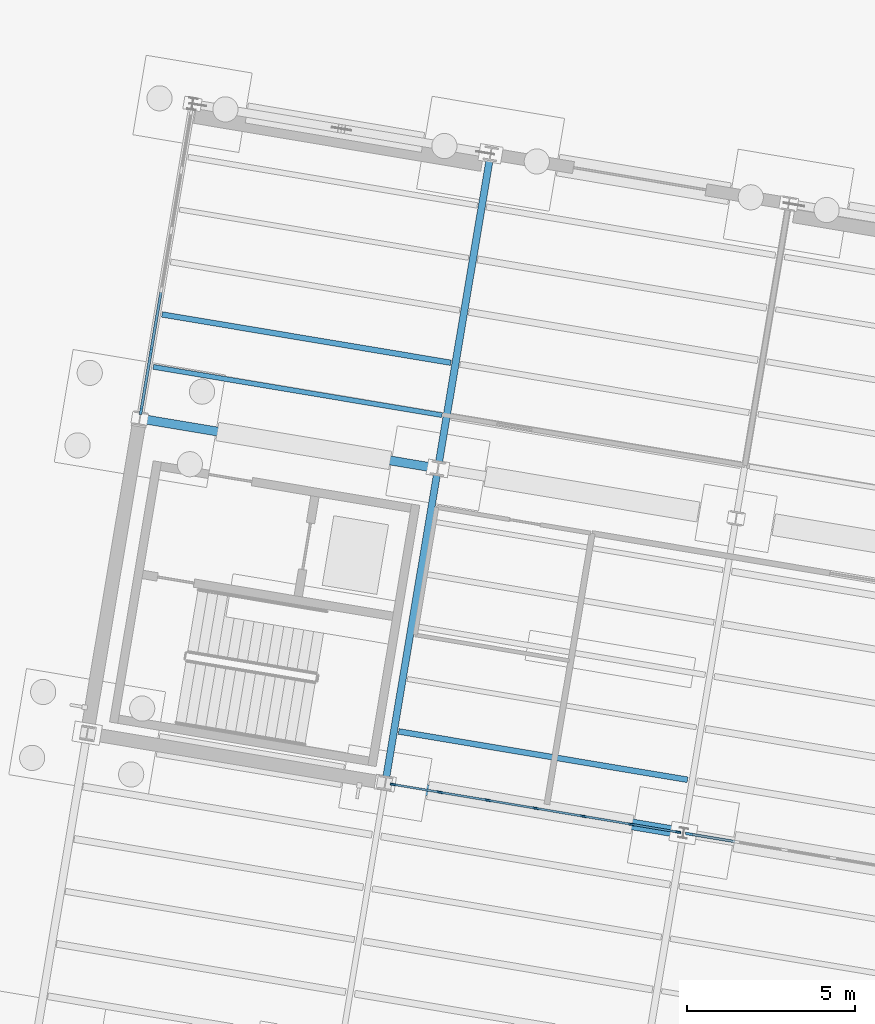
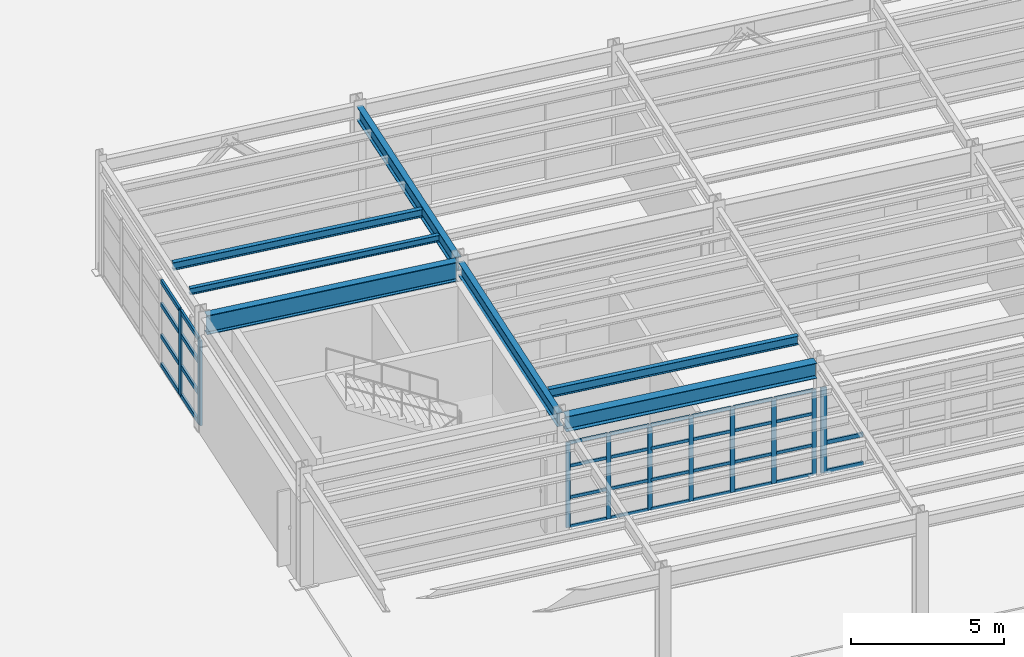
# One storey, part 43 of 108: 44 members, 7 beams, 3 elements without a shape of their own.
"""IFC4 building model written with IfcOpenShell, lengths in metres."""

from ifc_helpers import new_model, si_unit, direction, frame, origin, origin_2d, place, context, subcontext, project, spatial, rectangle, i_section, extrude, material, layer, layer_set, material_profile, profile_set, type_object, element, aggregate, save


model = new_model("IFC4")

# Units and contexts
model_context = context("Model", 3, precision=1e-05, world=origin(), true_north=direction((0.0, 1.0)))
body_context = subcontext(model_context, "Body", "Model", "MODEL_VIEW")
ifc_project = project(units=[si_unit("LENGTHUNIT", "METRE"), si_unit("AREAUNIT", "SQUARE_METRE"), si_unit("VOLUMEUNIT", "CUBIC_METRE"), si_unit("PLANEANGLEUNIT", "RADIAN"), si_unit("MASSUNIT", "GRAM", prefix="KILO")], contexts=[model_context])

# Site, building, storey
site_placement = place(None, origin())
site = spatial("IfcSite", under=ifc_project, at=site_placement, CompositionType="ELEMENT")
building_placement = place(site_placement, origin())
building = spatial("IfcBuilding", under=site, at=building_placement, Name="Vireo Bluff Cable Station", CompositionType="ELEMENT")
storey_placement = place(building_placement, origin())
storey = spatial("IfcBuildingStorey", under=building, at=storey_placement, Name="L00", CompositionType="ELEMENT", Elevation=0.0)

# Beams
ifc_material_1 = material(Name="Steel ASTM A992 Gr. 50", Category="steel")
ifc_material_profile_1 = material_profile(ifc_material_1, i_section(OverallWidth=0.2099609375, OverallDepth=0.535888671875, WebThickness=0.010986328125, FlangeThickness=0.017333984375, FilletRadius=0.012939453125, at=origin_2d()), Name="W21X68")
ifc_profile_set_1 = profile_set([ifc_material_profile_1], Name="Steel ASTM A992 Gr. 50")
beam_type_1 = type_object("IfcBeamType", Name="BM-W21X68", PredefinedType="BEAM", material=ifc_profile_set_1)
beam_1_placement = place(storey_placement, frame((15.96435546875, 79.502685546875, 4.27197265625), z_axis=(0.165044536891, 0.986286115102, 0.0), x_axis=(-0.986286115102, 0.165044536891, 0.0)))
element("IfcBeam", 1, at=beam_1_placement, inside=storey, type_object=beam_type_1, Name="V4 L00 beam 790", PredefinedType="BEAM", context=body_context, shape_type="SweptSolid", body=[
    extrude(i_section(OverallWidth=0.2099609375, OverallDepth=0.535888671875, WebThickness=0.010986328125, FlangeThickness=0.017333984375, FilletRadius=0.012939453125, at=origin_2d()), origin(), (0.0, 0.0, 1.0), 9.260009765625),
])
ifc_material_profile_2 = material_profile(ifc_material_1, i_section(OverallWidth=0.214111328125, OverallDepth=0.549072265625, WebThickness=0.0146484375, FlangeThickness=0.023681640625, FilletRadius=0.012939453125, at=origin_2d()), Name="W21X93")
ifc_profile_set_2 = profile_set([ifc_material_profile_2], Name="Steel ASTM A992 Gr. 50")
beam_type_2 = type_object("IfcBeamType", Name="BM-W21X93", PredefinedType="BEAM", material=ifc_profile_set_2)
beam_2_placement = place(storey_placement, frame((17.5322265625, 88.872314453125, 4.265380859375), z_axis=(0.165044536891, 0.986286115102, 0.0), x_axis=(-0.986286115102, 0.165044536891, 0.0)))
element("IfcBeam", 2, at=beam_2_placement, inside=storey, type_object=beam_type_2, Name="V4 L00 beam 791", PredefinedType="BEAM", context=body_context, shape_type="SweptSolid", body=[
    extrude(i_section(OverallWidth=0.214111328125, OverallDepth=0.549072265625, WebThickness=0.0146484375, FlangeThickness=0.023681640625, FilletRadius=0.012939453125, at=origin_2d()), origin(), (0.0, 0.0, 1.0), 9.260009765625),
])

# Curtain wall, member
ifc_material_2 = material(Name="Anodized Aluminium 6063-T6", Category="aluminium")
ifc_layer_1 = layer(ifc_material_2, 0.179931640625, Name="Anodized Aluminium 6063-T6")
ifc_layer_set_1 = layer_set([ifc_layer_1], Name="Anodized Aluminium 6063-T6")
curtain_wall_type_1 = type_object("IfcCurtainWallType", Name="CW-UNIT-1400", PredefinedType="USERDEFINED", material=ifc_layer_set_1)
curtain_wall_1_placement = place(storey_placement, origin())
curtain_wall_1 = element("IfcCurtainWall", 3, at=curtain_wall_1_placement, inside=storey, type_object=curtain_wall_type_1, Name="V4 L00 south curtain wall CW-081", ObjectType="UNITISED CURTAIN WALL", PredefinedType="USERDEFINED")
ifc_material_profile_3 = material_profile(ifc_material_2, rectangle(XDim=0.074951171875, YDim=0.2099609375, at=origin_2d()), Name="ALU-M-75X210")
ifc_profile_set_3 = profile_set([ifc_material_profile_3], Name="Anodized Aluminium 6063-T6")
member_type_1 = type_object("IfcMemberType", Name="CWM-02", PredefinedType="MULLION", material=ifc_profile_set_3)
member_1_placement = place(storey_placement, frame((24.9853515625, 77.871337890625, 0.0), z_axis=(0.0, 0.0, 1.0), x_axis=(-0.165047563411, -0.986285608641, 0.0)))
member_1 = element("IfcMember", 4, at=member_1_placement, type_object=member_type_1, Name="CW-081 mullion 7", PredefinedType="MULLION", context=body_context, shape_type="SweptSolid", body=[
    extrude(rectangle(XDim=0.074951171875, YDim=0.2099609375, at=origin_2d()), origin(), (0.0, 0.0, 1.0), 3.39990234375),
])

# Curtain wall, members
ifc_layer_2 = layer(ifc_material_2, 0.179931640625, Name="Anodized Aluminium 6063-T6")
ifc_layer_set_2 = layer_set([ifc_layer_2], Name="Anodized Aluminium 6063-T6")
curtain_wall_type_2 = type_object("IfcCurtainWallType", Name="CW-UNIT-1500", PredefinedType="USERDEFINED", material=ifc_layer_set_2)
curtain_wall_2_placement = place(storey_placement, origin())
curtain_wall_2 = element("IfcCurtainWall", 5, at=curtain_wall_2_placement, inside=storey, type_object=curtain_wall_type_2, Name="V4 L00 south curtain wall CW-082", ObjectType="UNITISED CURTAIN WALL", PredefinedType="USERDEFINED")
ifc_material_profile_4 = material_profile(ifc_material_2, rectangle(XDim=0.06005859375, YDim=0.159912109375, at=origin_2d()), Name="ALU-M-60X160")
ifc_profile_set_4 = profile_set([ifc_material_profile_4], Name="Anodized Aluminium 6063-T6")
member_type_2 = type_object("IfcMemberType", Name="CWM-03", PredefinedType="MULLION", material=ifc_profile_set_4)
member_2_placement = place(storey_placement, frame((24.664306640625, 77.925048828125, 0.0), z_axis=(0.0, 0.0, 1.0), x_axis=(-0.165047656538, -0.986285593057, 0.0)))
member_2 = element("IfcMember", 6, at=member_2_placement, type_object=member_type_2, Name="CW-082 mullion 1", PredefinedType="MULLION", context=body_context, shape_type="SweptSolid", body=[
    extrude(rectangle(XDim=0.06005859375, YDim=0.159912109375, at=origin_2d()), origin(), (0.0, 0.0, 1.0), 3.39990234375),
])
member_3_placement = place(storey_placement, frame((23.269287109375, 78.158447265625, 0.0), z_axis=(0.0, 0.0, 1.0), x_axis=(-0.165047656538, -0.986285593057, 0.0)))
member_3 = element("IfcMember", 7, at=member_3_placement, type_object=member_type_2, Name="CW-082 mullion 2", PredefinedType="MULLION", context=body_context, shape_type="SweptSolid", body=[
    extrude(rectangle(XDim=0.06005859375, YDim=0.159912109375, at=origin_2d()), origin(), (0.0, 0.0, 1.0), 3.39990234375),
])
member_4_placement = place(storey_placement, frame((21.8447265625, 78.39697265625, 0.0), z_axis=(0.0, 0.0, 1.0), x_axis=(-0.165047656538, -0.986285593057, 0.0)))
member_4 = element("IfcMember", 8, at=member_4_placement, type_object=member_type_2, Name="CW-082 mullion 3", PredefinedType="MULLION", context=body_context, shape_type="SweptSolid", body=[
    extrude(rectangle(XDim=0.06005859375, YDim=0.159912109375, at=origin_2d()), origin(), (0.0, 0.0, 1.0), 3.39990234375),
])
member_5_placement = place(storey_placement, frame((20.420166015625, 78.63525390625, 0.0), z_axis=(0.0, 0.0, 1.0), x_axis=(-0.165047656538, -0.986285593057, 0.0)))
member_5 = element("IfcMember", 9, at=member_5_placement, type_object=member_type_2, Name="CW-082 mullion 4", PredefinedType="MULLION", context=body_context, shape_type="SweptSolid", body=[
    extrude(rectangle(XDim=0.06005859375, YDim=0.159912109375, at=origin_2d()), origin(), (0.0, 0.0, 1.0), 3.39990234375),
])
member_6_placement = place(storey_placement, frame((18.995849609375, 78.873779296875, 0.0), z_axis=(0.0, 0.0, 1.0), x_axis=(-0.165047656538, -0.986285593057, 0.0)))
member_6 = element("IfcMember", 10, at=member_6_placement, type_object=member_type_2, Name="CW-082 mullion 5", PredefinedType="MULLION", context=body_context, shape_type="SweptSolid", body=[
    extrude(rectangle(XDim=0.06005859375, YDim=0.159912109375, at=origin_2d()), origin(), (0.0, 0.0, 1.0), 3.39990234375),
])
member_7_placement = place(storey_placement, frame((17.5712890625, 79.112060546875, 0.0), z_axis=(0.0, 0.0, 1.0), x_axis=(-0.165047656538, -0.986285593057, 0.0)))
member_7 = element("IfcMember", 11, at=member_7_placement, type_object=member_type_2, Name="CW-082 mullion 6", PredefinedType="MULLION", context=body_context, shape_type="SweptSolid", body=[
    extrude(rectangle(XDim=0.06005859375, YDim=0.159912109375, at=origin_2d()), origin(), (0.0, 0.0, 1.0), 3.39990234375),
])
member_8_placement = place(storey_placement, frame((16.17626953125, 79.345458984375, 0.0), z_axis=(0.0, 0.0, 1.0), x_axis=(-0.165047656538, -0.986285593057, 0.0)))
member_8 = element("IfcMember", 12, at=member_8_placement, type_object=member_type_2, Name="CW-082 mullion 7", PredefinedType="MULLION", context=body_context, shape_type="SweptSolid", body=[
    extrude(rectangle(XDim=0.06005859375, YDim=0.159912109375, at=origin_2d()), origin(), (0.0, 0.0, 1.0), 3.39990234375),
])

ifc_layer_3 = layer(ifc_material_2, 0.159912109375, Name="Anodized Aluminium 6063-T6")
ifc_layer_set_3 = layer_set([ifc_layer_3], Name="Anodized Aluminium 6063-T6")
curtain_wall_type_3 = type_object("IfcCurtainWallType", Name="CW-STICK-1850", PredefinedType="USERDEFINED", material=ifc_layer_set_3)
curtain_wall_3_placement = place(storey_placement, origin())
curtain_wall_3 = element("IfcCurtainWall", 13, at=curtain_wall_3_placement, inside=storey, type_object=curtain_wall_type_3, Name="V4 L00 west curtain wall CW-083", ObjectType="STICK CURTAIN WALL", PredefinedType="USERDEFINED")
ifc_material_profile_5 = material_profile(ifc_material_2, rectangle(XDim=0.080078125, YDim=0.239990234375, at=origin_2d()), Name="ALU-M-80X240")
ifc_profile_set_5 = profile_set([ifc_material_profile_5], Name="Anodized Aluminium 6063-T6")
member_type_3 = type_object("IfcMemberType", Name="CWM-04", PredefinedType="MULLION", material=ifc_profile_set_5)
member_9_placement = place(storey_placement, frame((8.67578125, 90.4775390625, 0.0), z_axis=(0.0, 0.0, 1.0), x_axis=(-0.986285605429, 0.165047582605, 0.0)))
member_9 = element("IfcMember", 14, at=member_9_placement, type_object=member_type_3, Name="CW-083 mullion 1", PredefinedType="MULLION", context=body_context, shape_type="SweptSolid", body=[
    extrude(rectangle(XDim=0.080078125, YDim=0.239990234375, at=origin_2d()), origin(), (0.0, 0.0, 1.0), 3.39990234375),
])
member_10_placement = place(storey_placement, frame((8.97021484375, 92.237060546875, 0.0), z_axis=(0.0, 0.0, 1.0), x_axis=(-0.986285605429, 0.165047582605, 0.0)))
member_10 = element("IfcMember", 15, at=member_10_placement, type_object=member_type_3, Name="CW-083 mullion 2", PredefinedType="MULLION", context=body_context, shape_type="SweptSolid", body=[
    extrude(rectangle(XDim=0.080078125, YDim=0.239990234375, at=origin_2d()), origin(), (0.0, 0.0, 1.0), 3.39990234375),
])

# Member
ifc_material_profile_6 = material_profile(ifc_material_2, rectangle(XDim=0.074951171875, YDim=0.159912109375, at=origin_2d()), Name="ALU-T-75X160")
ifc_profile_set_6 = profile_set([ifc_material_profile_6], Name="Anodized Aluminium 6063-T6")
member_type_4 = type_object("IfcMemberType", Name="CWT-02", PredefinedType="USERDEFINED", material=ifc_profile_set_6)
member_11_placement = place(storey_placement, frame((26.3525390625, 77.642578125, 0.03759765625), z_axis=(-0.986281177913, 0.165074038219, 0.0), x_axis=(-0.165074038219, -0.986281177913, 0.0)))
member_11 = element("IfcMember", 16, at=member_11_placement, type_object=member_type_4, Name="CW-081 transom 6.1", ObjectType="TRANSOM", PredefinedType="USERDEFINED", context=body_context, shape_type="SweptSolid", body=[
    extrude(rectangle(XDim=0.074951171875, YDim=0.159912109375, at=origin_2d()), origin(), (0.0, 0.0, 1.0), 1.348876953125),
])

member_12_placement = place(storey_placement, frame((26.3525390625, 77.642578125, 1.18994140625), z_axis=(-0.986281177913, 0.165074038219, 0.0), x_axis=(-0.165074038219, -0.986281177913, 0.0)))
member_12 = element("IfcMember", 17, at=member_12_placement, type_object=member_type_4, Name="CW-081 transom 6.2", ObjectType="TRANSOM", PredefinedType="USERDEFINED", context=body_context, shape_type="SweptSolid", body=[
    extrude(rectangle(XDim=0.074951171875, YDim=0.159912109375, at=origin_2d()), origin(), (0.0, 0.0, 1.0), 1.348876953125),
])

aggregate(curtain_wall_1, [member_1, member_11, member_12])

ifc_material_profile_7 = material_profile(ifc_material_2, rectangle(XDim=0.06005859375, YDim=0.1201171875, at=origin_2d()), Name="ALU-T-60X120")
ifc_profile_set_7 = profile_set([ifc_material_profile_7], Name="Anodized Aluminium 6063-T6")
member_type_5 = type_object("IfcMemberType", Name="CWT-03", PredefinedType="USERDEFINED", material=ifc_profile_set_7)
member_13_placement = place(storey_placement, frame((24.634765625, 77.929931640625, 0.030029296875), z_axis=(-0.986276761558, 0.165100422805, 0.0), x_axis=(-0.165100422805, -0.986276761558, 0.0)))
member_13 = element("IfcMember", 18, at=member_13_placement, type_object=member_type_5, Name="CW-082 transom 1.1", ObjectType="TRANSOM", PredefinedType="USERDEFINED", context=body_context, shape_type="SweptSolid", body=[
    extrude(rectangle(XDim=0.06005859375, YDim=0.1201171875, at=origin_2d()), origin(), (0.0, 0.0, 1.0), 1.3544921875),
])

member_14_placement = place(storey_placement, frame((24.634765625, 77.929931640625, 1.18994140625), z_axis=(-0.986276761558, 0.165100422805, 0.0), x_axis=(-0.165100422805, -0.986276761558, 0.0)))
member_14 = element("IfcMember", 19, at=member_14_placement, type_object=member_type_5, Name="CW-082 transom 1.2", ObjectType="TRANSOM", PredefinedType="USERDEFINED", context=body_context, shape_type="SweptSolid", body=[
    extrude(rectangle(XDim=0.06005859375, YDim=0.1201171875, at=origin_2d()), origin(), (0.0, 0.0, 1.0), 1.3544921875),
])

member_15_placement = place(storey_placement, frame((24.634765625, 77.929931640625, 2.447998046875), z_axis=(-0.986276761558, 0.165100422805, 0.0), x_axis=(-0.165100422805, -0.986276761558, 0.0)))
member_15 = element("IfcMember", 20, at=member_15_placement, type_object=member_type_5, Name="CW-082 transom 1.3", ObjectType="TRANSOM", PredefinedType="USERDEFINED", context=body_context, shape_type="SweptSolid", body=[
    extrude(rectangle(XDim=0.06005859375, YDim=0.1201171875, at=origin_2d()), origin(), (0.0, 0.0, 1.0), 1.3544921875),
])

member_16_placement = place(storey_placement, frame((24.634765625, 77.929931640625, 3.3701171875), z_axis=(-0.986276761558, 0.165100422805, 0.0), x_axis=(-0.165100422805, -0.986276761558, 0.0)))
member_16 = element("IfcMember", 21, at=member_16_placement, type_object=member_type_5, Name="CW-082 transom 1.4", ObjectType="TRANSOM", PredefinedType="USERDEFINED", context=body_context, shape_type="SweptSolid", body=[
    extrude(rectangle(XDim=0.06005859375, YDim=0.1201171875, at=origin_2d()), origin(), (0.0, 0.0, 1.0), 1.3544921875),
])

member_17_placement = place(storey_placement, frame((23.23974609375, 78.16357421875, 0.030029296875), z_axis=(-0.986307983771, 0.164913799146, 0.0), x_axis=(-0.164913799146, -0.986307983771, 0.0)))
member_17 = element("IfcMember", 22, at=member_17_placement, type_object=member_type_5, Name="CW-082 transom 2.1", ObjectType="TRANSOM", PredefinedType="USERDEFINED", context=body_context, shape_type="SweptSolid", body=[
    extrude(rectangle(XDim=0.06005859375, YDim=0.1201171875, at=origin_2d()), origin(), (0.0, 0.0, 1.0), 1.38427734375),
])

member_18_placement = place(storey_placement, frame((23.23974609375, 78.16357421875, 1.18994140625), z_axis=(-0.986307983771, 0.164913799146, 0.0), x_axis=(-0.164913799146, -0.986307983771, 0.0)))
member_18 = element("IfcMember", 23, at=member_18_placement, type_object=member_type_5, Name="CW-082 transom 2.2", ObjectType="TRANSOM", PredefinedType="USERDEFINED", context=body_context, shape_type="SweptSolid", body=[
    extrude(rectangle(XDim=0.06005859375, YDim=0.1201171875, at=origin_2d()), origin(), (0.0, 0.0, 1.0), 1.38427734375),
])

member_19_placement = place(storey_placement, frame((23.23974609375, 78.16357421875, 2.447998046875), z_axis=(-0.986307983771, 0.164913799146, 0.0), x_axis=(-0.164913799146, -0.986307983771, 0.0)))
member_19 = element("IfcMember", 24, at=member_19_placement, type_object=member_type_5, Name="CW-082 transom 2.3", ObjectType="TRANSOM", PredefinedType="USERDEFINED", context=body_context, shape_type="SweptSolid", body=[
    extrude(rectangle(XDim=0.06005859375, YDim=0.1201171875, at=origin_2d()), origin(), (0.0, 0.0, 1.0), 1.38427734375),
])

member_20_placement = place(storey_placement, frame((23.23974609375, 78.16357421875, 3.3701171875), z_axis=(-0.986307983771, 0.164913799146, 0.0), x_axis=(-0.164913799146, -0.986307983771, 0.0)))
member_20 = element("IfcMember", 25, at=member_20_placement, type_object=member_type_5, Name="CW-082 transom 2.4", ObjectType="TRANSOM", PredefinedType="USERDEFINED", context=body_context, shape_type="SweptSolid", body=[
    extrude(rectangle(XDim=0.06005859375, YDim=0.1201171875, at=origin_2d()), origin(), (0.0, 0.0, 1.0), 1.38427734375),
])

member_21_placement = place(storey_placement, frame((21.815185546875, 78.40185546875, 0.030029296875), z_axis=(-0.986279280714, 0.165085373167, 0.0), x_axis=(-0.165085373167, -0.986279280714, 0.0)))
member_21 = element("IfcMember", 26, at=member_21_placement, type_object=member_type_5, Name="CW-082 transom 3.1", ObjectType="TRANSOM", PredefinedType="USERDEFINED", context=body_context, shape_type="SweptSolid", body=[
    extrude(rectangle(XDim=0.06005859375, YDim=0.1201171875, at=origin_2d()), origin(), (0.0, 0.0, 1.0), 1.38427734375),
])

member_22_placement = place(storey_placement, frame((21.815185546875, 78.40185546875, 1.18994140625), z_axis=(-0.986279280714, 0.165085373167, 0.0), x_axis=(-0.165085373167, -0.986279280714, 0.0)))
member_22 = element("IfcMember", 27, at=member_22_placement, type_object=member_type_5, Name="CW-082 transom 3.2", ObjectType="TRANSOM", PredefinedType="USERDEFINED", context=body_context, shape_type="SweptSolid", body=[
    extrude(rectangle(XDim=0.06005859375, YDim=0.1201171875, at=origin_2d()), origin(), (0.0, 0.0, 1.0), 1.38427734375),
])

member_23_placement = place(storey_placement, frame((21.815185546875, 78.40185546875, 2.447998046875), z_axis=(-0.986279280714, 0.165085373167, 0.0), x_axis=(-0.165085373167, -0.986279280714, 0.0)))
member_23 = element("IfcMember", 28, at=member_23_placement, type_object=member_type_5, Name="CW-082 transom 3.3", ObjectType="TRANSOM", PredefinedType="USERDEFINED", context=body_context, shape_type="SweptSolid", body=[
    extrude(rectangle(XDim=0.06005859375, YDim=0.1201171875, at=origin_2d()), origin(), (0.0, 0.0, 1.0), 1.38427734375),
])

member_24_placement = place(storey_placement, frame((21.815185546875, 78.40185546875, 3.3701171875), z_axis=(-0.986279280714, 0.165085373167, 0.0), x_axis=(-0.165085373167, -0.986279280714, 0.0)))
member_24 = element("IfcMember", 29, at=member_24_placement, type_object=member_type_5, Name="CW-082 transom 3.4", ObjectType="TRANSOM", PredefinedType="USERDEFINED", context=body_context, shape_type="SweptSolid", body=[
    extrude(rectangle(XDim=0.06005859375, YDim=0.1201171875, at=origin_2d()), origin(), (0.0, 0.0, 1.0), 1.38427734375),
])

member_25_placement = place(storey_placement, frame((20.390625, 78.64013671875, 0.030029296875), z_axis=(-0.986279280714, 0.165085373167, 0.0), x_axis=(-0.165085373167, -0.986279280714, 0.0)))
member_25 = element("IfcMember", 30, at=member_25_placement, type_object=member_type_5, Name="CW-082 transom 4.1", ObjectType="TRANSOM", PredefinedType="USERDEFINED", context=body_context, shape_type="SweptSolid", body=[
    extrude(rectangle(XDim=0.06005859375, YDim=0.1201171875, at=origin_2d()), origin(), (0.0, 0.0, 1.0), 1.38427734375),
])

member_26_placement = place(storey_placement, frame((20.390625, 78.64013671875, 1.18994140625), z_axis=(-0.986279280714, 0.165085373167, 0.0), x_axis=(-0.165085373167, -0.986279280714, 0.0)))
member_26 = element("IfcMember", 31, at=member_26_placement, type_object=member_type_5, Name="CW-082 transom 4.2", ObjectType="TRANSOM", PredefinedType="USERDEFINED", context=body_context, shape_type="SweptSolid", body=[
    extrude(rectangle(XDim=0.06005859375, YDim=0.1201171875, at=origin_2d()), origin(), (0.0, 0.0, 1.0), 1.38427734375),
])

member_27_placement = place(storey_placement, frame((20.390625, 78.64013671875, 2.447998046875), z_axis=(-0.986279280714, 0.165085373167, 0.0), x_axis=(-0.165085373167, -0.986279280714, 0.0)))
member_27 = element("IfcMember", 32, at=member_27_placement, type_object=member_type_5, Name="CW-082 transom 4.3", ObjectType="TRANSOM", PredefinedType="USERDEFINED", context=body_context, shape_type="SweptSolid", body=[
    extrude(rectangle(XDim=0.06005859375, YDim=0.1201171875, at=origin_2d()), origin(), (0.0, 0.0, 1.0), 1.38427734375),
])

member_28_placement = place(storey_placement, frame((20.390625, 78.64013671875, 3.3701171875), z_axis=(-0.986279280714, 0.165085373167, 0.0), x_axis=(-0.165085373167, -0.986279280714, 0.0)))
member_28 = element("IfcMember", 33, at=member_28_placement, type_object=member_type_5, Name="CW-082 transom 4.4", ObjectType="TRANSOM", PredefinedType="USERDEFINED", context=body_context, shape_type="SweptSolid", body=[
    extrude(rectangle(XDim=0.06005859375, YDim=0.1201171875, at=origin_2d()), origin(), (0.0, 0.0, 1.0), 1.38427734375),
])

member_29_placement = place(storey_placement, frame((18.966064453125, 78.878662109375, 0.030029296875), z_axis=(-0.986279280714, 0.165085373167, 0.0), x_axis=(-0.165085373167, -0.986279280714, 0.0)))
member_29 = element("IfcMember", 34, at=member_29_placement, type_object=member_type_5, Name="CW-082 transom 5.1", ObjectType="TRANSOM", PredefinedType="USERDEFINED", context=body_context, shape_type="SweptSolid", body=[
    extrude(rectangle(XDim=0.06005859375, YDim=0.1201171875, at=origin_2d()), origin(), (0.0, 0.0, 1.0), 1.38427734375),
])

member_30_placement = place(storey_placement, frame((18.966064453125, 78.878662109375, 1.18994140625), z_axis=(-0.986279280714, 0.165085373167, 0.0), x_axis=(-0.165085373167, -0.986279280714, 0.0)))
member_30 = element("IfcMember", 35, at=member_30_placement, type_object=member_type_5, Name="CW-082 transom 5.2", ObjectType="TRANSOM", PredefinedType="USERDEFINED", context=body_context, shape_type="SweptSolid", body=[
    extrude(rectangle(XDim=0.06005859375, YDim=0.1201171875, at=origin_2d()), origin(), (0.0, 0.0, 1.0), 1.38427734375),
])

member_31_placement = place(storey_placement, frame((18.966064453125, 78.878662109375, 2.447998046875), z_axis=(-0.986279280714, 0.165085373167, 0.0), x_axis=(-0.165085373167, -0.986279280714, 0.0)))
member_31 = element("IfcMember", 36, at=member_31_placement, type_object=member_type_5, Name="CW-082 transom 5.3", ObjectType="TRANSOM", PredefinedType="USERDEFINED", context=body_context, shape_type="SweptSolid", body=[
    extrude(rectangle(XDim=0.06005859375, YDim=0.1201171875, at=origin_2d()), origin(), (0.0, 0.0, 1.0), 1.38427734375),
])

member_32_placement = place(storey_placement, frame((18.966064453125, 78.878662109375, 3.3701171875), z_axis=(-0.986279280714, 0.165085373167, 0.0), x_axis=(-0.165085373167, -0.986279280714, 0.0)))
member_32 = element("IfcMember", 37, at=member_32_placement, type_object=member_type_5, Name="CW-082 transom 5.4", ObjectType="TRANSOM", PredefinedType="USERDEFINED", context=body_context, shape_type="SweptSolid", body=[
    extrude(rectangle(XDim=0.06005859375, YDim=0.1201171875, at=origin_2d()), origin(), (0.0, 0.0, 1.0), 1.38427734375),
])

member_33_placement = place(storey_placement, frame((17.541748046875, 79.116943359375, 0.030029296875), z_axis=(-0.986276761558, 0.165100422805, 0.0), x_axis=(-0.165100422805, -0.986276761558, 0.0)))
member_33 = element("IfcMember", 38, at=member_33_placement, type_object=member_type_5, Name="CW-082 transom 6.1", ObjectType="TRANSOM", PredefinedType="USERDEFINED", context=body_context, shape_type="SweptSolid", body=[
    extrude(rectangle(XDim=0.06005859375, YDim=0.1201171875, at=origin_2d()), origin(), (0.0, 0.0, 1.0), 1.3544921875),
])

member_34_placement = place(storey_placement, frame((17.541748046875, 79.116943359375, 1.18994140625), z_axis=(-0.986276761558, 0.165100422805, 0.0), x_axis=(-0.165100422805, -0.986276761558, 0.0)))
member_34 = element("IfcMember", 39, at=member_34_placement, type_object=member_type_5, Name="CW-082 transom 6.2", ObjectType="TRANSOM", PredefinedType="USERDEFINED", context=body_context, shape_type="SweptSolid", body=[
    extrude(rectangle(XDim=0.06005859375, YDim=0.1201171875, at=origin_2d()), origin(), (0.0, 0.0, 1.0), 1.3544921875),
])

member_35_placement = place(storey_placement, frame((17.541748046875, 79.116943359375, 2.447998046875), z_axis=(-0.986276761558, 0.165100422805, 0.0), x_axis=(-0.165100422805, -0.986276761558, 0.0)))
member_35 = element("IfcMember", 40, at=member_35_placement, type_object=member_type_5, Name="CW-082 transom 6.3", ObjectType="TRANSOM", PredefinedType="USERDEFINED", context=body_context, shape_type="SweptSolid", body=[
    extrude(rectangle(XDim=0.06005859375, YDim=0.1201171875, at=origin_2d()), origin(), (0.0, 0.0, 1.0), 1.3544921875),
])

member_36_placement = place(storey_placement, frame((17.541748046875, 79.116943359375, 3.3701171875), z_axis=(-0.986276761558, 0.165100422805, 0.0), x_axis=(-0.165100422805, -0.986276761558, 0.0)))
member_36 = element("IfcMember", 41, at=member_36_placement, type_object=member_type_5, Name="CW-082 transom 6.4", ObjectType="TRANSOM", PredefinedType="USERDEFINED", context=body_context, shape_type="SweptSolid", body=[
    extrude(rectangle(XDim=0.06005859375, YDim=0.1201171875, at=origin_2d()), origin(), (0.0, 0.0, 1.0), 1.3544921875),
])

aggregate(curtain_wall_2, [member_2, member_3, member_4, member_5, member_6, member_7, member_8, member_13, member_14, member_15, member_16, member_17, member_18, member_19, member_20, member_21, member_22, member_23, member_24, member_25, member_26, member_27, member_28, member_29, member_30, member_31, member_32, member_33, member_34, member_35, member_36])

ifc_material_profile_8 = material_profile(ifc_material_2, rectangle(XDim=0.080078125, YDim=0.175048828125, at=origin_2d()), Name="ALU-T-80X175")
ifc_profile_set_8 = profile_set([ifc_material_profile_8], Name="Anodized Aluminium 6063-T6")
member_type_6 = type_object("IfcMemberType", Name="CWT-04", PredefinedType="USERDEFINED", material=ifc_profile_set_8)
member_37_placement = place(storey_placement, frame((8.682373046875, 90.51708984375, 0.0400390625), z_axis=(0.165049484431, 0.986285287171, 0.0), x_axis=(-0.986285287171, 0.165049484431, 0.0)))
member_37 = element("IfcMember", 42, at=member_37_placement, type_object=member_type_6, Name="CW-083 transom 1.1", ObjectType="TRANSOM", PredefinedType="USERDEFINED", context=body_context, shape_type="SweptSolid", body=[
    extrude(rectangle(XDim=0.080078125, YDim=0.175048828125, at=origin_2d()), origin(), (0.0, 0.0, 1.0), 1.7041015625),
])

member_38_placement = place(storey_placement, frame((8.682373046875, 90.51708984375, 1.18994140625), z_axis=(0.165049484431, 0.986285287171, 0.0), x_axis=(-0.986285287171, 0.165049484431, 0.0)))
member_38 = element("IfcMember", 43, at=member_38_placement, type_object=member_type_6, Name="CW-083 transom 1.2", ObjectType="TRANSOM", PredefinedType="USERDEFINED", context=body_context, shape_type="SweptSolid", body=[
    extrude(rectangle(XDim=0.080078125, YDim=0.175048828125, at=origin_2d()), origin(), (0.0, 0.0, 1.0), 1.7041015625),
])

member_39_placement = place(storey_placement, frame((8.682373046875, 90.51708984375, 2.447998046875), z_axis=(0.165049484431, 0.986285287171, 0.0), x_axis=(-0.986285287171, 0.165049484431, 0.0)))
member_39 = element("IfcMember", 44, at=member_39_placement, type_object=member_type_6, Name="CW-083 transom 1.3", ObjectType="TRANSOM", PredefinedType="USERDEFINED", context=body_context, shape_type="SweptSolid", body=[
    extrude(rectangle(XDim=0.080078125, YDim=0.175048828125, at=origin_2d()), origin(), (0.0, 0.0, 1.0), 1.7041015625),
])

member_40_placement = place(storey_placement, frame((8.682373046875, 90.51708984375, 3.360107421875), z_axis=(0.165049484431, 0.986285287171, 0.0), x_axis=(-0.986285287171, 0.165049484431, 0.0)))
member_40 = element("IfcMember", 45, at=member_40_placement, type_object=member_type_6, Name="CW-083 transom 1.4", ObjectType="TRANSOM", PredefinedType="USERDEFINED", context=body_context, shape_type="SweptSolid", body=[
    extrude(rectangle(XDim=0.080078125, YDim=0.175048828125, at=origin_2d()), origin(), (0.0, 0.0, 1.0), 1.7041015625),
])

member_41_placement = place(storey_placement, frame((8.976806640625, 92.276611328125, 0.0400390625), z_axis=(0.165057318369, 0.986283976172, 0.0), x_axis=(-0.986283976172, 0.165057318369, 0.0)))
member_41 = element("IfcMember", 46, at=member_41_placement, type_object=member_type_6, Name="CW-083 transom 2.1", ObjectType="TRANSOM", PredefinedType="USERDEFINED", context=body_context, shape_type="SweptSolid", body=[
    extrude(rectangle(XDim=0.080078125, YDim=0.175048828125, at=origin_2d()), origin(), (0.0, 0.0, 1.0), 1.743896484375),
])

member_42_placement = place(storey_placement, frame((8.976806640625, 92.276611328125, 1.18994140625), z_axis=(0.165057318369, 0.986283976172, 0.0), x_axis=(-0.986283976172, 0.165057318369, 0.0)))
member_42 = element("IfcMember", 47, at=member_42_placement, type_object=member_type_6, Name="CW-083 transom 2.2", ObjectType="TRANSOM", PredefinedType="USERDEFINED", context=body_context, shape_type="SweptSolid", body=[
    extrude(rectangle(XDim=0.080078125, YDim=0.175048828125, at=origin_2d()), origin(), (0.0, 0.0, 1.0), 1.743896484375),
])

member_43_placement = place(storey_placement, frame((8.976806640625, 92.276611328125, 2.447998046875), z_axis=(0.165057318369, 0.986283976172, 0.0), x_axis=(-0.986283976172, 0.165057318369, 0.0)))
member_43 = element("IfcMember", 48, at=member_43_placement, type_object=member_type_6, Name="CW-083 transom 2.3", ObjectType="TRANSOM", PredefinedType="USERDEFINED", context=body_context, shape_type="SweptSolid", body=[
    extrude(rectangle(XDim=0.080078125, YDim=0.175048828125, at=origin_2d()), origin(), (0.0, 0.0, 1.0), 1.743896484375),
])

member_44_placement = place(storey_placement, frame((8.976806640625, 92.276611328125, 3.360107421875), z_axis=(0.165057318369, 0.986283976172, 0.0), x_axis=(-0.986283976172, 0.165057318369, 0.0)))
member_44 = element("IfcMember", 49, at=member_44_placement, type_object=member_type_6, Name="CW-083 transom 2.4", ObjectType="TRANSOM", PredefinedType="USERDEFINED", context=body_context, shape_type="SweptSolid", body=[
    extrude(rectangle(XDim=0.080078125, YDim=0.175048828125, at=origin_2d()), origin(), (0.0, 0.0, 1.0), 1.743896484375),
])

aggregate(curtain_wall_3, [member_9, member_10, member_37, member_38, member_39, member_40, member_41, member_42, member_43, member_44])

# Beams
ifc_material_profile_9 = material_profile(ifc_material_1, i_section(OverallWidth=0.324951171875, OverallDepth=0.612060546875, WebThickness=0.0126953125, FlangeThickness=0.01904296875, FilletRadius=0.012939453125, at=origin_2d()), Name="W24X104")
ifc_profile_set_9 = profile_set([ifc_material_profile_9], Name="Steel ASTM A992 Gr. 50")
beam_type_3 = type_object("IfcBeamType", Name="GIR-W24X104", PredefinedType="USERDEFINED", material=ifc_profile_set_9)
beam_3_placement = place(storey_placement, frame((16.06298828125, 79.364501953125, 4.23388671875), z_axis=(0.986285239719, -0.16504976799, 0.0), x_axis=(0.16504976799, 0.986285239719, 0.0)))
element("IfcBeam", 50, at=beam_3_placement, inside=storey, type_object=beam_type_3, Name="V4 L00 girder 772", ObjectType="GIRDER", PredefinedType="USERDEFINED", context=body_context, shape_type="SweptSolid", body=[
    extrude(i_section(OverallWidth=0.324951171875, OverallDepth=0.612060546875, WebThickness=0.0126953125, FlangeThickness=0.01904296875, FilletRadius=0.012939453125, at=origin_2d()), origin(), (0.0, 0.0, 1.0), 8.759765625),
])
ifc_material_profile_10 = material_profile(ifc_material_1, i_section(OverallWidth=0.26708984375, OverallDepth=0.77001953125, WebThickness=0.015625, FlangeThickness=0.025390625, FilletRadius=0.01611328125, at=origin_2d()), Name="W30X132")
ifc_profile_set_10 = profile_set([ifc_material_profile_10], Name="Steel ASTM A992 Gr. 50")
beam_type_4 = type_object("IfcBeamType", Name="GIR-W30X132", PredefinedType="USERDEFINED", material=ifc_profile_set_10)
beam_4_placement = place(storey_placement, frame((8.754150390625, 90.2197265625, 4.155029296875), z_axis=(0.986285998922, -0.165045231163, 0.0), x_axis=(0.165045231163, 0.986285998922, 0.0)))
element("IfcBeam", 51, at=beam_4_placement, inside=storey, type_object=beam_type_4, Name="V4 L00 girder 776", ObjectType="GIRDER", PredefinedType="USERDEFINED", context=body_context, shape_type="SweptSolid", body=[
    extrude(i_section(OverallWidth=0.26708984375, OverallDepth=0.77001953125, WebThickness=0.015625, FlangeThickness=0.025390625, FilletRadius=0.01611328125, at=origin_2d()), origin(), (0.0, 0.0, 1.0), 8.760009765625),
])
ifc_material_profile_11 = material_profile(ifc_material_1, i_section(OverallWidth=0.14599609375, OverallDepth=0.259033203125, WebThickness=0.006103515625, FlangeThickness=0.009033203125, FilletRadius=0.009033203125, at=origin_2d()), Name="W10X22")
ifc_profile_set_11 = profile_set([ifc_material_profile_11], Name="Steel ASTM A992 Gr. 50")
beam_type_5 = type_object("IfcBeamType", Name="JST-W10X22", PredefinedType="JOIST", material=ifc_profile_set_11)
beam_5_placement = place(storey_placement, frame((9.035400390625, 91.77783203125, 4.410400390625), z_axis=(0.98628550168, -0.165048202583, 0.0), x_axis=(0.165048202583, 0.98628550168, 0.0)))
element("IfcBeam", 52, at=beam_5_placement, inside=storey, type_object=beam_type_5, Name="V4 L00 composite joist 809", PredefinedType="JOIST", context=body_context, shape_type="SweptSolid", body=[
    extrude(i_section(OverallWidth=0.14599609375, OverallDepth=0.259033203125, WebThickness=0.006103515625, FlangeThickness=0.009033203125, FilletRadius=0.009033203125, at=origin_2d()), origin(), (0.0, 0.0, 1.0), 8.719970703125),
])
ifc_material_profile_12 = material_profile(ifc_material_1, i_section(OverallWidth=0.1650390625, OverallDepth=0.31005859375, WebThickness=0.005859375, FlangeThickness=0.009765625, FilletRadius=0.010009765625, at=origin_2d()), Name="W12X26")
ifc_profile_set_12 = profile_set([ifc_material_profile_12], Name="Steel ASTM A992 Gr. 50")
beam_type_6 = type_object("IfcBeamType", Name="JST-W12X26", PredefinedType="JOIST", material=ifc_profile_set_12)
beam_6_placement = place(storey_placement, frame((9.296630859375, 93.339599609375, 4.385009765625), z_axis=(0.98628550168, -0.165048202583, 0.0), x_axis=(0.165048202583, 0.98628550168, 0.0)))
element("IfcBeam", 53, at=beam_6_placement, inside=storey, type_object=beam_type_6, Name="V4 L00 composite joist 810", PredefinedType="JOIST", context=body_context, shape_type="SweptSolid", body=[
    extrude(i_section(OverallWidth=0.1650390625, OverallDepth=0.31005859375, WebThickness=0.005859375, FlangeThickness=0.009765625, FilletRadius=0.010009765625, at=origin_2d()), origin(), (0.0, 0.0, 1.0), 8.719970703125),
])
ifc_material_profile_13 = material_profile(ifc_material_1, i_section(OverallWidth=0.1708984375, OverallDepth=0.35107421875, WebThickness=0.0068359375, FlangeThickness=0.009765625, FilletRadius=0.010009765625, at=origin_2d()), Name="W14X30")
ifc_profile_set_13 = profile_set([ifc_material_profile_13], Name="Steel ASTM A992 Gr. 50")
beam_type_7 = type_object("IfcBeamType", Name="JST-W14X30", PredefinedType="JOIST", material=ifc_profile_set_13)
beam_7_placement = place(storey_placement, frame((16.343994140625, 80.9228515625, 4.364501953125), z_axis=(0.98628550168, -0.165048202583, 0.0), x_axis=(0.165048202583, 0.98628550168, 0.0)))
element("IfcBeam", 54, at=beam_7_placement, inside=storey, type_object=beam_type_7, Name="V4 L00 composite joist 819", PredefinedType="JOIST", context=body_context, shape_type="SweptSolid", body=[
    extrude(i_section(OverallWidth=0.1708984375, OverallDepth=0.35107421875, WebThickness=0.0068359375, FlangeThickness=0.009765625, FilletRadius=0.010009765625, at=origin_2d()), origin(), (0.0, 0.0, 1.0), 8.719970703125),
])

save(model, "model.ifc")
